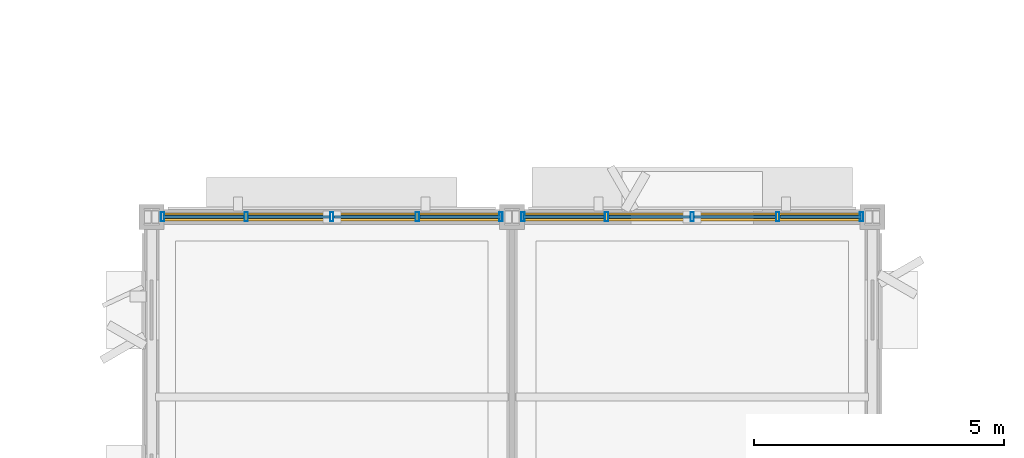
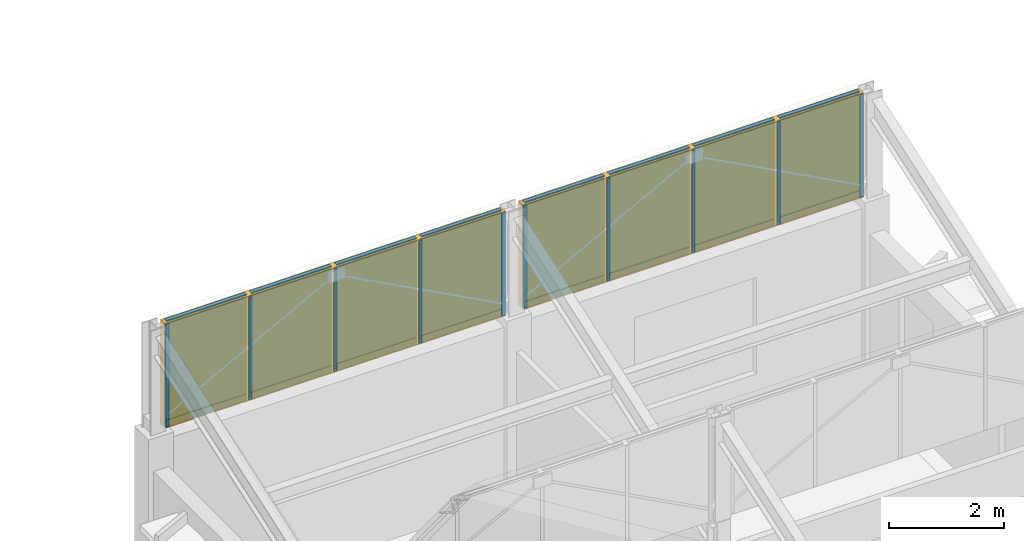
# One storey, part 65 of 82: 26 members, 8 plates, 2 curtain walls.
"""IFC4 building model written with IfcOpenShell, lengths in metres."""

from ifc_helpers import new_model, si_unit, direction, frame, origin, origin_2d, place, context, subcontext, project, spatial, rectangle, hollow_rectangle, extrude, material, layer, layer_set, material_profile, profile_set, type_object, element, aggregate, save


model = new_model("IFC4")

# Units and contexts
model_context = context("Model", 3, precision=1e-05, world=origin(), true_north=direction((0.0, 1.0)))
body_context = subcontext(model_context, "Body", "Model", "MODEL_VIEW")
ifc_project = project(units=[si_unit("LENGTHUNIT", "METRE"), si_unit("AREAUNIT", "SQUARE_METRE"), si_unit("VOLUMEUNIT", "CUBIC_METRE"), si_unit("PLANEANGLEUNIT", "RADIAN"), si_unit("MASSUNIT", "GRAM", prefix="KILO")], contexts=[model_context])

# Member
ifc_material_1 = material(Name="Anodized Aluminium 6063-T6", Category="aluminium")
ifc_material_profile_1 = material_profile(ifc_material_1, hollow_rectangle(XDim=0.06494140625, YDim=0.179931640625, WallThickness=0.00390625, at=origin_2d()), Name="ALU 65x180x4")
ifc_profile_set_1 = profile_set([ifc_material_profile_1], Name="Anodized Aluminium 6063-T6")
member_type_1 = type_object("IfcMemberType", Name="CWM-65X150", PredefinedType="MULLION", material=ifc_profile_set_1)
site_placement = place(None, origin())
building_placement = place(site_placement, origin())
storey_placement = place(building_placement, frame((0.0, 0.0, 14.10009765625)))
member_1_placement = place(storey_placement, frame((122.6201171875, 79.199951171875, 3.919921875), z_axis=(0.0, 0.0, 1.0), x_axis=(1.0, 0.0, 0.0)))
member_1 = element("IfcMember", 1, at=member_1_placement, type_object=member_type_1, Name="Curtain wall mullion CW-CLER-17-10-00", PredefinedType="MULLION", context=body_context, shape_type="SweptSolid", body=[
    extrude(hollow_rectangle(XDim=0.06494140625, YDim=0.179931640625, WallThickness=0.00390625, at=origin_2d()), origin(), (0.0, 0.0, 1.0), 2.179931640625),
])

member_2_placement = place(storey_placement, frame((124.2900390625, 79.199951171875, 3.919921875), z_axis=(0.0, 0.0, 1.0), x_axis=(1.0, 0.0, 0.0)))
member_2 = element("IfcMember", 2, at=member_2_placement, type_object=member_type_1, Name="Curtain wall mullion CW-CLER-17-10-01", PredefinedType="MULLION", context=body_context, shape_type="SweptSolid", body=[
    extrude(hollow_rectangle(XDim=0.06494140625, YDim=0.179931640625, WallThickness=0.00390625, at=origin_2d()), origin(), (0.0, 0.0, 1.0), 2.179931640625),
])

member_3_placement = place(storey_placement, frame((126.0, 79.199951171875, 3.919921875), z_axis=(0.0, 0.0, 1.0), x_axis=(1.0, 0.0, 0.0)))
member_3 = element("IfcMember", 3, at=member_3_placement, type_object=member_type_1, Name="Curtain wall mullion CW-CLER-17-10-02", PredefinedType="MULLION", context=body_context, shape_type="SweptSolid", body=[
    extrude(hollow_rectangle(XDim=0.06494140625, YDim=0.179931640625, WallThickness=0.00390625, at=origin_2d()), origin(), (0.0, 0.0, 1.0), 2.179931640625),
])

member_4_placement = place(storey_placement, frame((127.7099609375, 79.199951171875, 3.919921875), z_axis=(0.0, 0.0, 1.0), x_axis=(1.0, 0.0, 0.0)))
member_4 = element("IfcMember", 4, at=member_4_placement, type_object=member_type_1, Name="Curtain wall mullion CW-CLER-17-10-03", PredefinedType="MULLION", context=body_context, shape_type="SweptSolid", body=[
    extrude(hollow_rectangle(XDim=0.06494140625, YDim=0.179931640625, WallThickness=0.00390625, at=origin_2d()), origin(), (0.0, 0.0, 1.0), 2.179931640625),
])

member_5_placement = place(storey_placement, frame((129.3798828125, 79.199951171875, 3.919921875), z_axis=(0.0, 0.0, 1.0), x_axis=(1.0, 0.0, 0.0)))
member_5 = element("IfcMember", 5, at=member_5_placement, type_object=member_type_1, Name="Curtain wall mullion CW-CLER-17-10-04", PredefinedType="MULLION", context=body_context, shape_type="SweptSolid", body=[
    extrude(hollow_rectangle(XDim=0.06494140625, YDim=0.179931640625, WallThickness=0.00390625, at=origin_2d()), origin(), (0.0, 0.0, 1.0), 2.179931640625),
])

member_6_placement = place(storey_placement, frame((129.820068359375, 79.199951171875, 3.919921875), z_axis=(0.0, 0.0, 1.0), x_axis=(1.0, 0.0, 0.0)))
member_6 = element("IfcMember", 6, at=member_6_placement, type_object=member_type_1, Name="Curtain wall mullion CW-CLER-18-10-00", PredefinedType="MULLION", context=body_context, shape_type="SweptSolid", body=[
    extrude(hollow_rectangle(XDim=0.06494140625, YDim=0.179931640625, WallThickness=0.00390625, at=origin_2d()), origin(), (0.0, 0.0, 1.0), 2.179931640625),
])

member_7_placement = place(storey_placement, frame((131.489990234375, 79.199951171875, 3.919921875), z_axis=(0.0, 0.0, 1.0), x_axis=(1.0, 0.0, 0.0)))
member_7 = element("IfcMember", 7, at=member_7_placement, type_object=member_type_1, Name="Curtain wall mullion CW-CLER-18-10-01", PredefinedType="MULLION", context=body_context, shape_type="SweptSolid", body=[
    extrude(hollow_rectangle(XDim=0.06494140625, YDim=0.179931640625, WallThickness=0.00390625, at=origin_2d()), origin(), (0.0, 0.0, 1.0), 2.179931640625),
])

member_8_placement = place(storey_placement, frame((133.199951171875, 79.199951171875, 3.919921875), z_axis=(0.0, 0.0, 1.0), x_axis=(1.0, 0.0, 0.0)))
member_8 = element("IfcMember", 8, at=member_8_placement, type_object=member_type_1, Name="Curtain wall mullion CW-CLER-18-10-02", PredefinedType="MULLION", context=body_context, shape_type="SweptSolid", body=[
    extrude(hollow_rectangle(XDim=0.06494140625, YDim=0.179931640625, WallThickness=0.00390625, at=origin_2d()), origin(), (0.0, 0.0, 1.0), 2.179931640625),
])

member_9_placement = place(storey_placement, frame((134.909912109375, 79.199951171875, 3.919921875), z_axis=(0.0, 0.0, 1.0), x_axis=(1.0, 0.0, 0.0)))
member_9 = element("IfcMember", 9, at=member_9_placement, type_object=member_type_1, Name="Curtain wall mullion CW-CLER-18-10-03", PredefinedType="MULLION", context=body_context, shape_type="SweptSolid", body=[
    extrude(hollow_rectangle(XDim=0.06494140625, YDim=0.179931640625, WallThickness=0.00390625, at=origin_2d()), origin(), (0.0, 0.0, 1.0), 2.179931640625),
])

member_10_placement = place(storey_placement, frame((136.580078125, 79.199951171875, 3.919921875), z_axis=(0.0, 0.0, 1.0), x_axis=(1.0, 0.0, 0.0)))
member_10 = element("IfcMember", 10, at=member_10_placement, type_object=member_type_1, Name="Curtain wall mullion CW-CLER-18-10-04", PredefinedType="MULLION", context=body_context, shape_type="SweptSolid", body=[
    extrude(hollow_rectangle(XDim=0.06494140625, YDim=0.179931640625, WallThickness=0.00390625, at=origin_2d()), origin(), (0.0, 0.0, 1.0), 2.179931640625),
])

ifc_material_profile_2 = material_profile(ifc_material_1, hollow_rectangle(XDim=0.06494140625, YDim=0.139892578125, WallThickness=0.00390625, at=origin_2d()), Name="ALU 65x140x4")
ifc_profile_set_2 = profile_set([ifc_material_profile_2], Name="Anodized Aluminium 6063-T6")
member_type_2 = type_object("IfcMemberType", Name="CWT-65X120", PredefinedType="USERDEFINED", material=ifc_profile_set_2)
member_11_placement = place(storey_placement, frame((122.6298828125, 79.199951171875, 3.949951171875), z_axis=(1.0, 0.0, 0.0), x_axis=(0.0, 1.0, 0.0)))
member_11 = element("IfcMember", 11, at=member_11_placement, type_object=member_type_2, Name="Curtain wall transom CW-CLER-17-10-1.01", ObjectType="TRANSOM", PredefinedType="USERDEFINED", context=body_context, shape_type="SweptSolid", body=[
    extrude(hollow_rectangle(XDim=0.06494140625, YDim=0.139892578125, WallThickness=0.00390625, at=origin_2d()), origin(), (0.0, 0.0, 1.0), 1.610107421875),
])

member_12_placement = place(storey_placement, frame((124.340087890625, 79.199951171875, 3.949951171875), z_axis=(1.0, 0.0, 0.0), x_axis=(0.0, 1.0, 0.0)))
member_12 = element("IfcMember", 12, at=member_12_placement, type_object=member_type_2, Name="Curtain wall transom CW-CLER-17-10-1.02", ObjectType="TRANSOM", PredefinedType="USERDEFINED", context=body_context, shape_type="SweptSolid", body=[
    extrude(hollow_rectangle(XDim=0.06494140625, YDim=0.139892578125, WallThickness=0.00390625, at=origin_2d()), origin(), (0.0, 0.0, 1.0), 1.60986328125),
])

member_13_placement = place(storey_placement, frame((126.050048828125, 79.199951171875, 3.949951171875), z_axis=(1.0, 0.0, 0.0), x_axis=(0.0, 1.0, 0.0)))
member_13 = element("IfcMember", 13, at=member_13_placement, type_object=member_type_2, Name="Curtain wall transom CW-CLER-17-10-1.03", ObjectType="TRANSOM", PredefinedType="USERDEFINED", context=body_context, shape_type="SweptSolid", body=[
    extrude(hollow_rectangle(XDim=0.06494140625, YDim=0.139892578125, WallThickness=0.00390625, at=origin_2d()), origin(), (0.0, 0.0, 1.0), 1.60986328125),
])

member_14_placement = place(storey_placement, frame((127.760009765625, 79.199951171875, 3.949951171875), z_axis=(1.0, 0.0, 0.0), x_axis=(0.0, 1.0, 0.0)))
member_14 = element("IfcMember", 14, at=member_14_placement, type_object=member_type_2, Name="Curtain wall transom CW-CLER-17-10-1.04", ObjectType="TRANSOM", PredefinedType="USERDEFINED", context=body_context, shape_type="SweptSolid", body=[
    extrude(hollow_rectangle(XDim=0.06494140625, YDim=0.139892578125, WallThickness=0.00390625, at=origin_2d()), origin(), (0.0, 0.0, 1.0), 1.610107421875),
])

member_15_placement = place(storey_placement, frame((122.6298828125, 79.199951171875, 6.06982421875), z_axis=(1.0, 0.0, 0.0), x_axis=(0.0, 1.0, 0.0)))
member_15 = element("IfcMember", 15, at=member_15_placement, type_object=member_type_2, Name="Curtain wall transom CW-CLER-17-10-2.01", ObjectType="TRANSOM", PredefinedType="USERDEFINED", context=body_context, shape_type="SweptSolid", body=[
    extrude(hollow_rectangle(XDim=0.06494140625, YDim=0.139892578125, WallThickness=0.00390625, at=origin_2d()), origin(), (0.0, 0.0, 1.0), 1.610107421875),
])

member_16_placement = place(storey_placement, frame((124.340087890625, 79.199951171875, 6.06982421875), z_axis=(1.0, 0.0, 0.0), x_axis=(0.0, 1.0, 0.0)))
member_16 = element("IfcMember", 16, at=member_16_placement, type_object=member_type_2, Name="Curtain wall transom CW-CLER-17-10-2.02", ObjectType="TRANSOM", PredefinedType="USERDEFINED", context=body_context, shape_type="SweptSolid", body=[
    extrude(hollow_rectangle(XDim=0.06494140625, YDim=0.139892578125, WallThickness=0.00390625, at=origin_2d()), origin(), (0.0, 0.0, 1.0), 1.60986328125),
])

member_17_placement = place(storey_placement, frame((126.050048828125, 79.199951171875, 6.06982421875), z_axis=(1.0, 0.0, 0.0), x_axis=(0.0, 1.0, 0.0)))
member_17 = element("IfcMember", 17, at=member_17_placement, type_object=member_type_2, Name="Curtain wall transom CW-CLER-17-10-2.03", ObjectType="TRANSOM", PredefinedType="USERDEFINED", context=body_context, shape_type="SweptSolid", body=[
    extrude(hollow_rectangle(XDim=0.06494140625, YDim=0.139892578125, WallThickness=0.00390625, at=origin_2d()), origin(), (0.0, 0.0, 1.0), 1.60986328125),
])

member_18_placement = place(storey_placement, frame((127.760009765625, 79.199951171875, 6.06982421875), z_axis=(1.0, 0.0, 0.0), x_axis=(0.0, 1.0, 0.0)))
member_18 = element("IfcMember", 18, at=member_18_placement, type_object=member_type_2, Name="Curtain wall transom CW-CLER-17-10-2.04", ObjectType="TRANSOM", PredefinedType="USERDEFINED", context=body_context, shape_type="SweptSolid", body=[
    extrude(hollow_rectangle(XDim=0.06494140625, YDim=0.139892578125, WallThickness=0.00390625, at=origin_2d()), origin(), (0.0, 0.0, 1.0), 1.610107421875),
])

member_19_placement = place(storey_placement, frame((129.830078125, 79.199951171875, 3.949951171875), z_axis=(1.0, 0.0, 0.0), x_axis=(0.0, 1.0, 0.0)))
member_19 = element("IfcMember", 19, at=member_19_placement, type_object=member_type_2, Name="Curtain wall transom CW-CLER-18-10-1.01", ObjectType="TRANSOM", PredefinedType="USERDEFINED", context=body_context, shape_type="SweptSolid", body=[
    extrude(hollow_rectangle(XDim=0.06494140625, YDim=0.139892578125, WallThickness=0.00390625, at=origin_2d()), origin(), (0.0, 0.0, 1.0), 1.60986328125),
])

member_20_placement = place(storey_placement, frame((131.5400390625, 79.199951171875, 3.949951171875), z_axis=(1.0, 0.0, 0.0), x_axis=(0.0, 1.0, 0.0)))
member_20 = element("IfcMember", 20, at=member_20_placement, type_object=member_type_2, Name="Curtain wall transom CW-CLER-18-10-1.02", ObjectType="TRANSOM", PredefinedType="USERDEFINED", context=body_context, shape_type="SweptSolid", body=[
    extrude(hollow_rectangle(XDim=0.06494140625, YDim=0.139892578125, WallThickness=0.00390625, at=origin_2d()), origin(), (0.0, 0.0, 1.0), 1.60986328125),
])

member_21_placement = place(storey_placement, frame((133.25, 79.199951171875, 3.949951171875), z_axis=(1.0, 0.0, 0.0), x_axis=(0.0, 1.0, 0.0)))
member_21 = element("IfcMember", 21, at=member_21_placement, type_object=member_type_2, Name="Curtain wall transom CW-CLER-18-10-1.03", ObjectType="TRANSOM", PredefinedType="USERDEFINED", context=body_context, shape_type="SweptSolid", body=[
    extrude(hollow_rectangle(XDim=0.06494140625, YDim=0.139892578125, WallThickness=0.00390625, at=origin_2d()), origin(), (0.0, 0.0, 1.0), 1.610107421875),
])

member_22_placement = place(storey_placement, frame((134.9599609375, 79.199951171875, 3.949951171875), z_axis=(1.0, 0.0, 0.0), x_axis=(0.0, 1.0, 0.0)))
member_22 = element("IfcMember", 22, at=member_22_placement, type_object=member_type_2, Name="Curtain wall transom CW-CLER-18-10-1.04", ObjectType="TRANSOM", PredefinedType="USERDEFINED", context=body_context, shape_type="SweptSolid", body=[
    extrude(hollow_rectangle(XDim=0.06494140625, YDim=0.139892578125, WallThickness=0.00390625, at=origin_2d()), origin(), (0.0, 0.0, 1.0), 1.610107421875),
])

member_23_placement = place(storey_placement, frame((129.830078125, 79.199951171875, 6.06982421875), z_axis=(1.0, 0.0, 0.0), x_axis=(0.0, 1.0, 0.0)))
member_23 = element("IfcMember", 23, at=member_23_placement, type_object=member_type_2, Name="Curtain wall transom CW-CLER-18-10-2.01", ObjectType="TRANSOM", PredefinedType="USERDEFINED", context=body_context, shape_type="SweptSolid", body=[
    extrude(hollow_rectangle(XDim=0.06494140625, YDim=0.139892578125, WallThickness=0.00390625, at=origin_2d()), origin(), (0.0, 0.0, 1.0), 1.60986328125),
])

member_24_placement = place(storey_placement, frame((131.5400390625, 79.199951171875, 6.06982421875), z_axis=(1.0, 0.0, 0.0), x_axis=(0.0, 1.0, 0.0)))
member_24 = element("IfcMember", 24, at=member_24_placement, type_object=member_type_2, Name="Curtain wall transom CW-CLER-18-10-2.02", ObjectType="TRANSOM", PredefinedType="USERDEFINED", context=body_context, shape_type="SweptSolid", body=[
    extrude(hollow_rectangle(XDim=0.06494140625, YDim=0.139892578125, WallThickness=0.00390625, at=origin_2d()), origin(), (0.0, 0.0, 1.0), 1.60986328125),
])

member_25_placement = place(storey_placement, frame((133.25, 79.199951171875, 6.06982421875), z_axis=(1.0, 0.0, 0.0), x_axis=(0.0, 1.0, 0.0)))
member_25 = element("IfcMember", 25, at=member_25_placement, type_object=member_type_2, Name="Curtain wall transom CW-CLER-18-10-2.03", ObjectType="TRANSOM", PredefinedType="USERDEFINED", context=body_context, shape_type="SweptSolid", body=[
    extrude(hollow_rectangle(XDim=0.06494140625, YDim=0.139892578125, WallThickness=0.00390625, at=origin_2d()), origin(), (0.0, 0.0, 1.0), 1.610107421875),
])

member_26_placement = place(storey_placement, frame((134.9599609375, 79.199951171875, 6.06982421875), z_axis=(1.0, 0.0, 0.0), x_axis=(0.0, 1.0, 0.0)))
member_26 = element("IfcMember", 26, at=member_26_placement, type_object=member_type_2, Name="Curtain wall transom CW-CLER-18-10-2.04", ObjectType="TRANSOM", PredefinedType="USERDEFINED", context=body_context, shape_type="SweptSolid", body=[
    extrude(hollow_rectangle(XDim=0.06494140625, YDim=0.139892578125, WallThickness=0.00390625, at=origin_2d()), origin(), (0.0, 0.0, 1.0), 1.610107421875),
])

# Plate
ifc_material_2 = material(Name="North-Light Clear Diffusing Glazing", Category="glass")
ifc_layer = layer(ifc_material_2, 0.035888671875)
ifc_layer_set = layer_set([ifc_layer], Name="North-Light Clear Diffusing Glazing")
plate_type = type_object("IfcPlateType", Name="CWP-IGU-CL", PredefinedType="CURTAIN_PANEL", material=ifc_layer_set)
plate_1_placement = place(storey_placement, frame((123.43505859375, 79.199951171875, 3.9599609375), z_axis=(0.0, 0.0, 1.0), x_axis=(1.0, 0.0, 0.0)))
plate_1 = element("IfcPlate", 27, at=plate_1_placement, type_object=plate_type, Name="Curtain wall vision glazing CW-CLER-17-10-01", PredefinedType="CURTAIN_PANEL", context=body_context, shape_type="SweptSolid", body=[
    extrude(rectangle(XDim=1.6201171875, YDim=0.0400390625, at=origin_2d()), origin(), (0.0, 0.0, 1.0), 2.10009765625),
])

plate_2_placement = place(storey_placement, frame((125.14501953125, 79.199951171875, 3.9599609375), z_axis=(0.0, 0.0, 1.0), x_axis=(1.0, 0.0, 0.0)))
plate_2 = element("IfcPlate", 28, at=plate_2_placement, type_object=plate_type, Name="Curtain wall vision glazing CW-CLER-17-10-02", PredefinedType="CURTAIN_PANEL", context=body_context, shape_type="SweptSolid", body=[
    extrude(rectangle(XDim=1.6201171875, YDim=0.0400390625, at=origin_2d()), origin(), (0.0, 0.0, 1.0), 2.10009765625),
])

plate_3_placement = place(storey_placement, frame((126.85498046875, 79.199951171875, 3.9599609375), z_axis=(0.0, 0.0, 1.0), x_axis=(1.0, 0.0, 0.0)))
plate_3 = element("IfcPlate", 29, at=plate_3_placement, type_object=plate_type, Name="Curtain wall vision glazing CW-CLER-17-10-03", PredefinedType="CURTAIN_PANEL", context=body_context, shape_type="SweptSolid", body=[
    extrude(rectangle(XDim=1.6201171875, YDim=0.0400390625, at=origin_2d()), origin(), (0.0, 0.0, 1.0), 2.10009765625),
])

plate_4_placement = place(storey_placement, frame((128.56494140625, 79.199951171875, 3.9599609375), z_axis=(0.0, 0.0, 1.0), x_axis=(1.0, 0.0, 0.0)))
plate_4 = element("IfcPlate", 30, at=plate_4_placement, type_object=plate_type, Name="Curtain wall vision glazing CW-CLER-17-10-04", PredefinedType="CURTAIN_PANEL", context=body_context, shape_type="SweptSolid", body=[
    extrude(rectangle(XDim=1.6201171875, YDim=0.0400390625, at=origin_2d()), origin(), (0.0, 0.0, 1.0), 2.10009765625),
])

plate_5_placement = place(storey_placement, frame((130.635009765625, 79.199951171875, 3.9599609375), z_axis=(0.0, 0.0, 1.0), x_axis=(1.0, 0.0, 0.0)))
plate_5 = element("IfcPlate", 31, at=plate_5_placement, type_object=plate_type, Name="Curtain wall vision glazing CW-CLER-18-10-01", PredefinedType="CURTAIN_PANEL", context=body_context, shape_type="SweptSolid", body=[
    extrude(rectangle(XDim=1.6201171875, YDim=0.0400390625, at=origin_2d()), origin(), (0.0, 0.0, 1.0), 2.10009765625),
])

plate_6_placement = place(storey_placement, frame((132.344970703125, 79.199951171875, 3.9599609375), z_axis=(0.0, 0.0, 1.0), x_axis=(1.0, 0.0, 0.0)))
plate_6 = element("IfcPlate", 32, at=plate_6_placement, type_object=plate_type, Name="Curtain wall vision glazing CW-CLER-18-10-02", PredefinedType="CURTAIN_PANEL", context=body_context, shape_type="SweptSolid", body=[
    extrude(rectangle(XDim=1.6201171875, YDim=0.0400390625, at=origin_2d()), origin(), (0.0, 0.0, 1.0), 2.10009765625),
])

plate_7_placement = place(storey_placement, frame((134.054931640625, 79.199951171875, 3.9599609375), z_axis=(0.0, 0.0, 1.0), x_axis=(1.0, 0.0, 0.0)))
plate_7 = element("IfcPlate", 33, at=plate_7_placement, type_object=plate_type, Name="Curtain wall vision glazing CW-CLER-18-10-03", PredefinedType="CURTAIN_PANEL", context=body_context, shape_type="SweptSolid", body=[
    extrude(rectangle(XDim=1.6201171875, YDim=0.0400390625, at=origin_2d()), origin(), (0.0, 0.0, 1.0), 2.10009765625),
])

plate_8_placement = place(storey_placement, frame((135.764892578125, 79.199951171875, 3.9599609375), z_axis=(0.0, 0.0, 1.0), x_axis=(1.0, 0.0, 0.0)))
plate_8 = element("IfcPlate", 34, at=plate_8_placement, type_object=plate_type, Name="Curtain wall vision glazing CW-CLER-18-10-04", PredefinedType="CURTAIN_PANEL", context=body_context, shape_type="SweptSolid", body=[
    extrude(rectangle(XDim=1.6201171875, YDim=0.0400390625, at=origin_2d()), origin(), (0.0, 0.0, 1.0), 2.10009765625),
])

# Site, building, storey
site = spatial("IfcSite", under=ifc_project, at=site_placement, CompositionType="ELEMENT")
building = spatial("IfcBuilding", under=site, at=building_placement, Name="Sillqori Civic Hall", CompositionType="ELEMENT")
storey = spatial("IfcBuildingStorey", under=building, at=storey_placement, Name="L04", CompositionType="ELEMENT", Elevation=14.10009765625)

# Curtain wall
ifc_material_3 = material(Name="Anodized Aluminium Curtain Wall System", Category="aluminium")
curtain_wall_type = type_object("IfcCurtainWallType", Name="CW-CL-205", PredefinedType="NOTDEFINED", material=ifc_material_3)
curtain_wall_1_placement = place(storey_placement, frame((126.0, 79.199951171875, 3.89990234375), z_axis=(0.0, 0.0, 1.0), x_axis=(1.0, 0.0, 0.0)))
curtain_wall_1 = element("IfcCurtainWall", 35, at=curtain_wall_1_placement, inside=storey, type_object=curtain_wall_type, Name="L04 unitised curtain wall CW-CLER-17-10", PredefinedType="NOTDEFINED", context=body_context, shape_type="SweptSolid", body=[
    extrude(rectangle(XDim=6.840087890625, YDim=0.159912109375, at=origin_2d()), origin(), (0.0, 0.0, 1.0), 2.219970703125),
])

aggregate(curtain_wall_1, [member_1, member_2, member_3, member_4, member_5, member_11, member_12, member_13, member_14, member_15, member_16, member_17, member_18, plate_1, plate_2, plate_3, plate_4])

curtain_wall_2_placement = place(storey_placement, frame((133.199951171875, 79.199951171875, 3.89990234375), z_axis=(0.0, 0.0, 1.0), x_axis=(1.0, 0.0, 0.0)))
curtain_wall_2 = element("IfcCurtainWall", 36, at=curtain_wall_2_placement, inside=storey, type_object=curtain_wall_type, Name="L04 unitised curtain wall CW-CLER-18-10", PredefinedType="NOTDEFINED", context=body_context, shape_type="SweptSolid", body=[
    extrude(rectangle(XDim=6.840087890625, YDim=0.159912109375, at=origin_2d()), origin(), (0.0, 0.0, 1.0), 2.219970703125),
])

aggregate(curtain_wall_2, [member_6, member_7, member_8, member_9, member_10, member_19, member_20, member_21, member_22, member_23, member_24, member_25, member_26, plate_5, plate_6, plate_7, plate_8])

save(model, "model.ifc")
